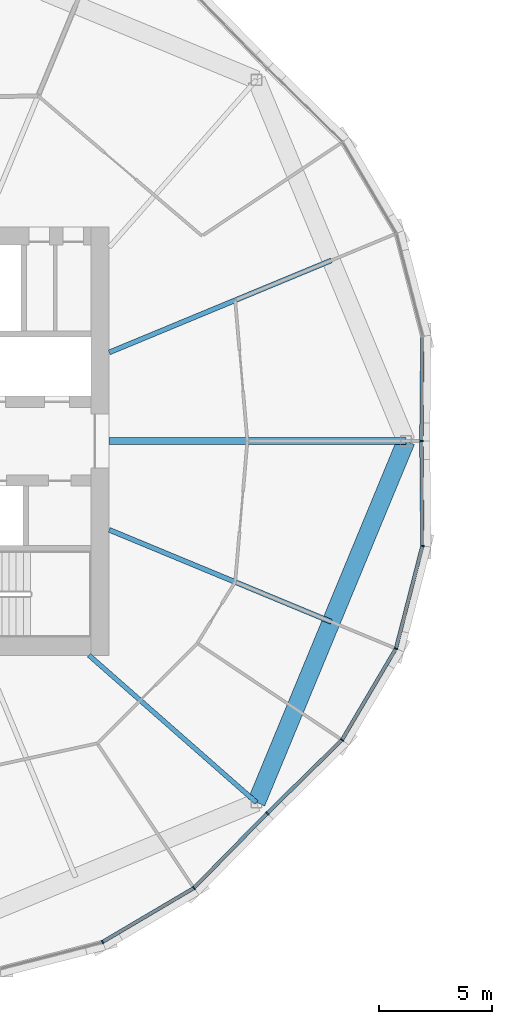
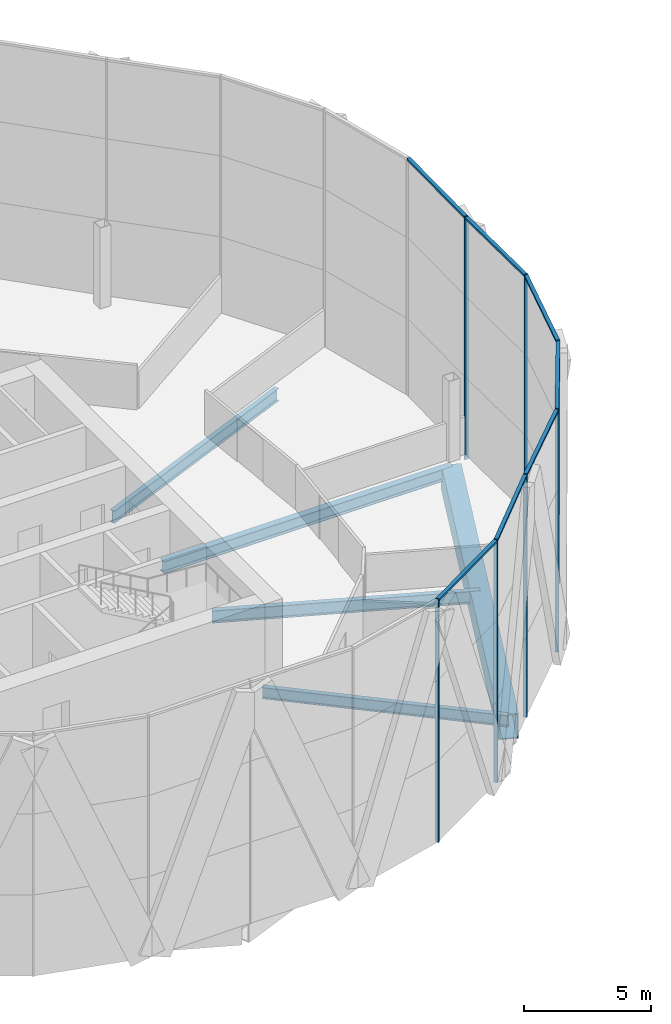
# One storey, part 6 of 26: 14 members, 5 beams, 3 elements without a shape of their own.
"""IFC4 building model written with IfcOpenShell, lengths in metres."""

from ifc_helpers import new_model, si_unit, direction, frame, origin, origin_2d, place, context, subcontext, project, spatial, rectangle, hollow_rectangle, i_section, extrude, material, material_profile, profile_set, type_object, element, aggregate, save


model = new_model("IFC4")

# Units and contexts
model_context = context("Model", 3, precision=1e-05, world=origin(), true_north=direction((0.0, 1.0)))
body_context = subcontext(model_context, "Body", "Model", "MODEL_VIEW")
ifc_project = project(units=[si_unit("LENGTHUNIT", "METRE"), si_unit("AREAUNIT", "SQUARE_METRE"), si_unit("VOLUMEUNIT", "CUBIC_METRE"), si_unit("PLANEANGLEUNIT", "RADIAN"), si_unit("MASSUNIT", "GRAM", prefix="KILO")], contexts=[model_context])

# Site, building, storey
site_placement = place(None, origin())
site = spatial("IfcSite", under=ifc_project, at=site_placement, CompositionType="ELEMENT")
building_placement = place(site_placement, origin())
building = spatial("IfcBuilding", under=site, at=building_placement, Name="Ogive Gate Towers", CompositionType="ELEMENT")
storey_placement = place(building_placement, frame((0.0, 0.0, 87.89990234375)))
storey = spatial("IfcBuildingStorey", under=building, at=storey_placement, Name="L20", CompositionType="ELEMENT", Elevation=87.89990234375)

# Beams
ifc_material_1 = material(Name="Steel SM460", Category="steel")
ifc_material_profile_1 = material_profile(ifc_material_1, hollow_rectangle(XDim=0.800048828125, YDim=1.199951171875, WallThickness=0.050048828125, at=origin_2d()), Name="BX 1200x800x50")
ifc_profile_set_1 = profile_set([ifc_material_profile_1], Name="Steel SM460")
beam_type_1 = type_object("IfcBeamType", Name="Edge girder BX 1200x800x50", PredefinedType="BEAM", material=ifc_profile_set_1)
beam_1_placement = place(storey_placement, frame((-19.969970703125, -16.030029296875, -0.89990234375), z_axis=(0.382685254414, 0.923878777792, 0.0), x_axis=(-0.923878777792, 0.382685254414, 0.0)))
element("IfcBeam", 1, at=beam_1_placement, inside=storey, type_object=beam_type_1, Name="T1/L20/SBM019", PredefinedType="BEAM", context=body_context, shape_type="SweptSolid", body=[
    extrude(hollow_rectangle(XDim=0.800048828125, YDim=1.199951171875, WallThickness=0.050048828125, at=origin_2d()), origin(), (0.0, 0.0, 1.0), 17.350830078125),
])
ifc_material_2 = material(Name="Steel SM355", Category="steel")
ifc_material_profile_2 = material_profile(ifc_material_2, i_section(OverallWidth=0.300048828125, OverallDepth=0.590087890625, WebThickness=0.012939453125, FlangeThickness=0.02490234375, FilletRadius=0.027099609375, at=origin_2d()), Name="HE 600 A")
ifc_profile_set_2 = profile_set([ifc_material_profile_2], Name="Steel SM355")
beam_type_2 = type_object("IfcBeamType", Name="Radial floor beam HE 600 A", PredefinedType="BEAM", material=ifc_profile_set_2)
beam_2_placement = place(storey_placement, frame((-26.5, 0.0, -0.594970703125), z_axis=(1.0, 0.0, 0.0), x_axis=(0.0, 1.0, 0.0)))
element("IfcBeam", 2, at=beam_2_placement, inside=storey, type_object=beam_type_2, Name="T1/L20/SBM007", PredefinedType="BEAM", context=body_context, shape_type="SweptSolid", body=[
    extrude(i_section(OverallWidth=0.300048828125, OverallDepth=0.590087890625, WebThickness=0.012939453125, FlangeThickness=0.02490234375, FilletRadius=0.027099609375, at=origin_2d()), origin(), (0.0, 0.0, 1.0), 13.169921875),
])
ifc_material_profile_3 = material_profile(ifc_material_2, i_section(OverallWidth=0.2099609375, OverallDepth=0.550048828125, WebThickness=0.010986328125, FlangeThickness=0.01708984375, FilletRadius=0.02392578125, at=origin_2d()), Name="IPE 550")
ifc_profile_set_3 = profile_set([ifc_material_profile_3], Name="Steel SM355")
beam_type_3 = type_object("IfcBeamType", Name="Radial floor beam IPE 550", PredefinedType="BEAM", material=ifc_profile_set_3)
beam_3_placement = place(storey_placement, frame((-27.39990234375, -9.5, -0.574951171875), z_axis=(0.751130036477, -0.660154276137, 0.0), x_axis=(0.660154276137, 0.751130036477, 0.0)))
element("IfcBeam", 3, at=beam_3_placement, inside=storey, type_object=beam_type_3, Name="T1/L20/SBM005", PredefinedType="BEAM", context=body_context, shape_type="SweptSolid", body=[
    extrude(i_section(OverallWidth=0.2099609375, OverallDepth=0.550048828125, WebThickness=0.010986328125, FlangeThickness=0.01708984375, FilletRadius=0.02392578125, at=origin_2d()), origin(), (0.0, 0.0, 1.0), 9.8916015625),
])
ifc_material_profile_4 = material_profile(ifc_material_2, i_section(OverallWidth=0.219970703125, OverallDepth=0.60009765625, WebThickness=0.011962890625, FlangeThickness=0.01904296875, FilletRadius=0.02392578125, at=origin_2d()), Name="IPE 600")
ifc_profile_set_4 = profile_set([ifc_material_profile_4], Name="Steel SM355")
beam_type_4 = type_object("IfcBeamType", Name="Radial floor beam IPE 600", PredefinedType="BEAM", material=ifc_profile_set_4)
for number, where, z_axis, x_axis, name in (
    (4, (-26.5, -3.93505859375, -0.599853515625), (0.923878402208, -0.382686161148, 0.0), (0.382686161148, 0.923878402208, 0.0), "T1/L20/SBM006"),
    (5, (-26.5, 3.93505859375, -0.599853515625), (0.923878402208, 0.382686161148, 0.0), (-0.382686161148, 0.923878402208, 0.0), "T1/L20/SBM008"),
):
    element("IfcBeam", number, at=place(storey_placement, frame(where, z_axis=z_axis, x_axis=x_axis)), inside=storey, type_object=beam_type_4, Name=name, PredefinedType="BEAM", context=body_context, shape_type="SweptSolid", body=[
        extrude(i_section(OverallWidth=0.219970703125, OverallDepth=0.60009765625, WebThickness=0.011962890625, FlangeThickness=0.01904296875, FilletRadius=0.02392578125, at=origin_2d()), origin(), (0.0, 0.0, 1.0), 10.66162109375),
    ])

# Curtain wall, member
ifc_material_3 = material(Name="Pale metal aluminium", Category="aluminium")
curtain_wall_type = type_object("IfcCurtainWallType", Name="Tower unitised wall, low zone", PredefinedType="NOTDEFINED", material=ifc_material_3)
curtain_wall_1_placement = place(storey_placement, origin())
curtain_wall_1 = element("IfcCurtainWall", 6, at=curtain_wall_1_placement, inside=storey, type_object=curtain_wall_type, Name="CW1 T1 ECW01", PredefinedType="NOTDEFINED")
ifc_material_profile_5 = material_profile(ifc_material_3, rectangle(XDim=0.159912109375, YDim=0.06005859375, at=origin_2d()), Name="60 x 160 aluminium box")
ifc_profile_set_5 = profile_set([ifc_material_profile_5], Name="Pale metal aluminium")
member_type_1 = type_object("IfcMemberType", Name="Tower unitised wall, low zone mullion 60 x 160", PredefinedType="MULLION", material=ifc_profile_set_5)
member_1_placement = place(storey_placement, frame((-12.64990234375, 0.000244140625, -0.2998046875), z_axis=(0.0, 0.0, 1.0), x_axis=(0.999956405756, -0.009337375811, 0.0)))
member_1 = element("IfcMember", 7, at=member_1_placement, type_object=member_type_1, Name="CW1 mullion", PredefinedType="MULLION", context=body_context, shape_type="SweptSolid", body=[
    extrude(rectangle(XDim=0.159912109375, YDim=0.06005859375, at=origin_2d()), origin(), (0.0, 0.0, 1.0), 11.699951171875),
])

# Curtain wall, members
curtain_wall_2_placement = place(storey_placement, origin())
curtain_wall_2 = element("IfcCurtainWall", 8, at=curtain_wall_2_placement, inside=storey, type_object=curtain_wall_type, Name="CW1 T1 ECW07", PredefinedType="NOTDEFINED")
member_2_placement = place(storey_placement, frame((-26.796142578125, -22.22021484375, -0.2998046875), z_axis=(0.0, 0.0, 1.0), x_axis=(0.382683432365, -0.923879532511, 0.0)))
member_2 = element("IfcMember", 9, at=member_2_placement, type_object=member_type_1, Name="CW1 mullion", PredefinedType="MULLION", context=body_context, shape_type="SweptSolid", body=[
    extrude(rectangle(XDim=0.159912109375, YDim=0.06005859375, at=origin_2d()), origin(), (0.0, 0.0, 1.0), 11.699951171875),
])
member_3_placement = place(storey_placement, frame((-22.744140625, -19.827880859375, -0.2998046875), z_axis=(0.0, 0.0, 1.0), x_axis=(0.616321421546, -0.787494701787, 0.0)))
member_3 = element("IfcMember", 10, at=member_3_placement, type_object=member_type_1, Name="CW1 mullion", PredefinedType="MULLION", context=body_context, shape_type="SweptSolid", body=[
    extrude(rectangle(XDim=0.159912109375, YDim=0.06005859375, at=origin_2d()), origin(), (0.0, 0.0, 1.0), 11.699951171875),
])
member_4_placement = place(storey_placement, frame((-19.4892578125, -16.510986328125, -0.2998046875), z_axis=(0.0, 0.0, 1.0), x_axis=(0.713678477155, -0.700473433647, 0.0)))
member_4 = element("IfcMember", 11, at=member_4_placement, type_object=member_type_1, Name="CW1 mullion", PredefinedType="MULLION", context=body_context, shape_type="SweptSolid", body=[
    extrude(rectangle(XDim=0.159912109375, YDim=0.06005859375, at=origin_2d()), origin(), (0.0, 0.0, 1.0), 11.699951171875),
])

curtain_wall_3_placement = place(storey_placement, origin())
curtain_wall_3 = element("IfcCurtainWall", 12, at=curtain_wall_3_placement, inside=storey, type_object=curtain_wall_type, Name="CW1 T1 ECW08", PredefinedType="NOTDEFINED")
member_5_placement = place(storey_placement, frame((-16.172119140625, -13.255859375, -0.2998046875), z_axis=(0.0, 0.0, 1.0), x_axis=(0.787494701787, -0.616321421546, 0.0)))
member_5 = element("IfcMember", 13, at=member_5_placement, type_object=member_type_1, Name="CW1 mullion", PredefinedType="MULLION", context=body_context, shape_type="SweptSolid", body=[
    extrude(rectangle(XDim=0.159912109375, YDim=0.06005859375, at=origin_2d()), origin(), (0.0, 0.0, 1.0), 11.699951171875),
])
member_6_placement = place(storey_placement, frame((-13.77978515625, -9.203857421875, -0.2998046875), z_axis=(0.0, 0.0, 1.0), x_axis=(0.923879532511, -0.382683432365, 0.0)))
member_6 = element("IfcMember", 14, at=member_6_placement, type_object=member_type_1, Name="CW1 mullion", PredefinedType="MULLION", context=body_context, shape_type="SweptSolid", body=[
    extrude(rectangle(XDim=0.159912109375, YDim=0.06005859375, at=origin_2d()), origin(), (0.0, 0.0, 1.0), 11.699951171875),
])
member_7_placement = place(storey_placement, frame((-12.6064453125, -4.647216796875, -0.2998046875), z_axis=(0.0, 0.0, 1.0), x_axis=(0.992647900348, -0.121037787217, 0.0)))
member_7 = element("IfcMember", 15, at=member_7_placement, type_object=member_type_1, Name="CW1 mullion", PredefinedType="MULLION", context=body_context, shape_type="SweptSolid", body=[
    extrude(rectangle(XDim=0.159912109375, YDim=0.06005859375, at=origin_2d()), origin(), (0.0, 0.0, 1.0), 11.699951171875),
])

# Member
ifc_material_profile_6 = material_profile(ifc_material_3, rectangle(XDim=0.159912109375, YDim=0.10009765625, at=origin_2d()), Name="100 x 160 aluminium box")
ifc_profile_set_6 = profile_set([ifc_material_profile_6], Name="Pale metal aluminium")
member_type_2 = type_object("IfcMemberType", Name="Tower unitised wall, low zone transom 100 x 160", PredefinedType="USERDEFINED", material=ifc_profile_set_6)
member_8_placement = place(storey_placement, frame((-12.649658203125, 0.0302734375, 11.35009765625), z_axis=(0.009309097625, 0.999956669412, 0.0), x_axis=(-0.999956669412, 0.009309097625, 0.0)))
member_8 = element("IfcMember", 16, at=member_8_placement, type_object=member_type_2, Name="CW1 transom", ObjectType="TRANSOM", PredefinedType="USERDEFINED", context=body_context, shape_type="SweptSolid", body=[
    extrude(rectangle(XDim=0.159912109375, YDim=0.10009765625, at=origin_2d()), origin(), (0.0, 0.0, 1.0), 4.589599609375),
])

aggregate(curtain_wall_1, [member_1, member_8])

member_9_placement = place(storey_placement, frame((-26.772705078125, -22.206298828125, 11.35009765625), z_axis=(0.861093687305, 0.508446321339, 0.0), x_axis=(-0.508446321339, 0.861093687305, 0.0)))
member_9 = element("IfcMember", 17, at=member_9_placement, type_object=member_type_2, Name="CW1 transom", ObjectType="TRANSOM", PredefinedType="USERDEFINED", context=body_context, shape_type="SweptSolid", body=[
    extrude(rectangle(XDim=0.159912109375, YDim=0.10009765625, at=origin_2d()), origin(), (0.0, 0.0, 1.0), 4.65087890625),
])

member_10_placement = place(storey_placement, frame((-22.72509765625, -19.80810546875, 11.35009765625), z_axis=(0.700453165916, 0.713698369312, 0.0), x_axis=(-0.713698369312, 0.700453165916, 0.0)))
member_10 = element("IfcMember", 18, at=member_10_placement, type_object=member_type_2, Name="CW1 transom", ObjectType="TRANSOM", PredefinedType="USERDEFINED", context=body_context, shape_type="SweptSolid", body=[
    extrude(rectangle(XDim=0.159912109375, YDim=0.10009765625, at=origin_2d()), origin(), (0.0, 0.0, 1.0), 4.589599609375),
])

aggregate(curtain_wall_2, [member_2, member_3, member_9, member_4, member_10])

member_11_placement = place(storey_placement, frame((-19.467529296875, -16.48974609375, 11.35009765625), z_axis=(0.713698369312, 0.700453165916, 0.0), x_axis=(-0.700453165916, 0.713698369312, 0.0)))
member_11 = element("IfcMember", 19, at=member_11_placement, type_object=member_type_2, Name="CW1 transom", ObjectType="TRANSOM", PredefinedType="USERDEFINED", context=body_context, shape_type="SweptSolid", body=[
    extrude(rectangle(XDim=0.159912109375, YDim=0.10009765625, at=origin_2d()), origin(), (0.0, 0.0, 1.0), 4.589599609375),
])

member_12_placement = place(storey_placement, frame((-16.158447265625, -13.232177734375, 11.35009765625), z_axis=(0.508446321339, 0.861093687305, 0.0), x_axis=(-0.861093687305, 0.508446321339, 0.0)))
member_12 = element("IfcMember", 20, at=member_12_placement, type_object=member_type_2, Name="CW1 transom", ObjectType="TRANSOM", PredefinedType="USERDEFINED", context=body_context, shape_type="SweptSolid", body=[
    extrude(rectangle(XDim=0.159912109375, YDim=0.10009765625, at=origin_2d()), origin(), (0.0, 0.0, 1.0), 4.65087890625),
])

member_13_placement = place(storey_placement, frame((-13.773193359375, -9.177490234375, 11.35009765625), z_axis=(0.249396942248, 0.968401345103, 0.0), x_axis=(-0.968401345103, 0.249396942248, 0.0)))
member_13 = element("IfcMember", 21, at=member_13_placement, type_object=member_type_2, Name="CW1 transom", ObjectType="TRANSOM", PredefinedType="USERDEFINED", context=body_context, shape_type="SweptSolid", body=[
    extrude(rectangle(XDim=0.159912109375, YDim=0.10009765625, at=origin_2d()), origin(), (0.0, 0.0, 1.0), 4.65087890625),
])

member_14_placement = place(storey_placement, frame((-12.60693359375, -4.61962890625, 11.35009765625), z_axis=(-0.009309097625, 0.999956669412, 0.0), x_axis=(-0.999956669412, -0.009309097625, 0.0)))
member_14 = element("IfcMember", 22, at=member_14_placement, type_object=member_type_2, Name="CW1 transom", ObjectType="TRANSOM", PredefinedType="USERDEFINED", context=body_context, shape_type="SweptSolid", body=[
    extrude(rectangle(XDim=0.159912109375, YDim=0.10009765625, at=origin_2d()), origin(), (0.0, 0.0, 1.0), 4.589599609375),
])

aggregate(curtain_wall_3, [member_5, member_11, member_6, member_12, member_7, member_13, member_14])

save(model, "model.ifc")
